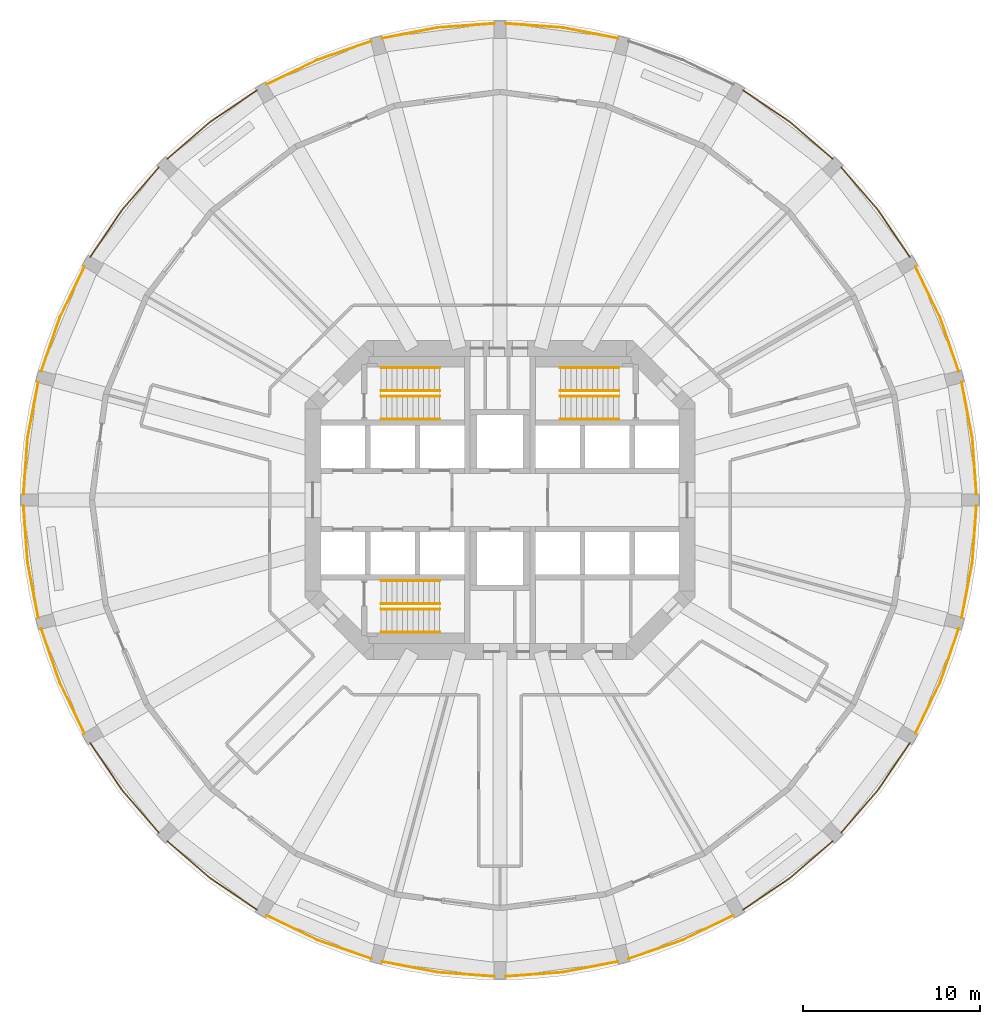
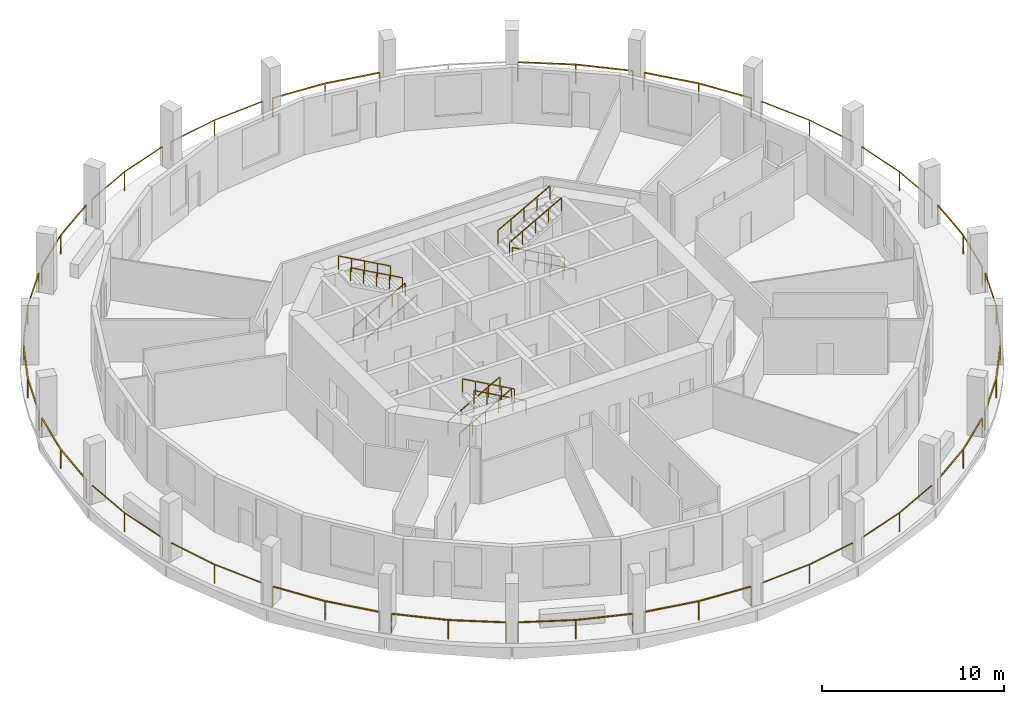
# One storey, part 8 of 9: 35 railings.
"""IFC4 building model written with IfcOpenShell, lengths in metres."""

from ifc_helpers import new_model, si_unit, direction, frame, origin, origin_2d, place, context, subcontext, project, spatial, rectangle, extrude, material, type_object, element, save


model = new_model("IFC4")

# Units and contexts
model_context = context("Model", 3, precision=1e-05, world=origin(), true_north=direction((0.0, 1.0)))
body_context = subcontext(model_context, "Body", "Model", "MODEL_VIEW")
ifc_project = project(units=[si_unit("LENGTHUNIT", "METRE"), si_unit("AREAUNIT", "SQUARE_METRE"), si_unit("VOLUMEUNIT", "CUBIC_METRE"), si_unit("PLANEANGLEUNIT", "RADIAN"), si_unit("MASSUNIT", "GRAM", prefix="KILO")], contexts=[model_context])

# Site, building, storey
site_placement = place(None, origin())
site = spatial("IfcSite", under=ifc_project, at=site_placement, CompositionType="ELEMENT")
building_placement = place(site_placement, origin())
building = spatial("IfcBuilding", under=site, at=building_placement, Name="Torre Triforio", CompositionType="ELEMENT")
storey_placement = place(building_placement, frame((0.0, 0.0, 47.0)))
storey = spatial("IfcBuildingStorey", under=building, at=storey_placement, Name="L09", CompositionType="ELEMENT", Elevation=47.0)

# Railings
ifc_material = material(Name="Stainless steel AISI 316", Category="steel")
railing_type_1 = type_object("IfcRailingType", Name="HANDRAIL 920", PredefinedType="HANDRAIL", material=ifc_material)
for number, where, name in (
    (1, (-6.699951171875, 4.550048828125, 0.166748046875), "Handrail ST1"),
    (2, (-6.699951171875, 5.85009765625, 0.166748046875), "Handrail ST1"),
):
    element("IfcRailing", number, at=place(storey_placement, frame(where)), inside=storey, type_object=railing_type_1, Name=name, PredefinedType="HANDRAIL", context=body_context, shape_type="SweptSolid", body=[
        extrude(rectangle(XDim=0.048095703125, YDim=0.048095703125, at=origin_2d()), frame((0.0, 0.0, 0.89599609375), z_axis=(0.874169478083, 0.0, 0.485620966999), x_axis=(0.0, 1.0, 0.0)), (0.0, 0.0, 1.0), 3.775146484375),
        extrude(rectangle(XDim=0.0419921875, YDim=0.0419921875, at=origin_2d()), origin(), (0.0, 0.0, 1.0), 0.871826171875),
        extrude(rectangle(XDim=0.0419921875, YDim=0.0419921875, at=origin_2d()), frame((0.824951171875, 0.0, 0.458251953125)), (0.0, 0.0, 1.0), 0.871826171875),
        extrude(rectangle(XDim=0.0419921875, YDim=0.0419921875, at=origin_2d()), frame((1.64990234375, 0.0, 0.91650390625)), (0.0, 0.0, 1.0), 0.871826171875),
        extrude(rectangle(XDim=0.0419921875, YDim=0.0419921875, at=origin_2d()), frame((2.47509765625, 0.0, 1.375)), (0.0, 0.0, 1.0), 0.871826171875),
        extrude(rectangle(XDim=0.0419921875, YDim=0.0419921875, at=origin_2d()), frame((3.300048828125, 0.0, 1.833251953125)), (0.0, 0.0, 1.0), 0.871826171875),
    ])
for number, where, name in (
    (3, (-3.39990234375, 7.449951171875, 2.166748046875), "Handrail ST1"),
    (4, (-3.39990234375, 6.14990234375, 2.166748046875), "Handrail ST1"),
    (5, (6.699951171875, 4.550048828125, 0.166748046875), "Handrail ST2"),
    (6, (6.699951171875, 5.85009765625, 0.166748046875), "Handrail ST2"),
):
    element("IfcRailing", number, at=place(storey_placement, frame(where)), inside=storey, type_object=railing_type_1, Name=name, PredefinedType="HANDRAIL", context=body_context, shape_type="SweptSolid", body=[
        extrude(rectangle(XDim=0.048095703125, YDim=0.048095703125, at=origin_2d()), frame((0.0, 0.0, 0.89599609375), z_axis=(-0.874169478083, 0.0, 0.485620966999), x_axis=(0.0, -1.0, 0.0)), (0.0, 0.0, 1.0), 3.775146484375),
        extrude(rectangle(XDim=0.0419921875, YDim=0.0419921875, at=origin_2d()), origin(), (0.0, 0.0, 1.0), 0.871826171875),
        extrude(rectangle(XDim=0.0419921875, YDim=0.0419921875, at=origin_2d()), frame((-0.824951171875, 0.0, 0.458251953125)), (0.0, 0.0, 1.0), 0.871826171875),
        extrude(rectangle(XDim=0.0419921875, YDim=0.0419921875, at=origin_2d()), frame((-1.64990234375, 0.0, 0.91650390625)), (0.0, 0.0, 1.0), 0.871826171875),
        extrude(rectangle(XDim=0.0419921875, YDim=0.0419921875, at=origin_2d()), frame((-2.47509765625, 0.0, 1.375)), (0.0, 0.0, 1.0), 0.871826171875),
        extrude(rectangle(XDim=0.0419921875, YDim=0.0419921875, at=origin_2d()), frame((-3.300048828125, 0.0, 1.833251953125)), (0.0, 0.0, 1.0), 0.871826171875),
    ])
for number, where, name in (
    (7, (3.39990234375, 7.449951171875, 2.166748046875), "Handrail ST2"),
    (8, (3.39990234375, 6.14990234375, 2.166748046875), "Handrail ST2"),
    (9, (-6.699951171875, -4.550048828125, 0.166748046875), "Handrail ST3"),
    (10, (-6.699951171875, -5.85009765625, 0.166748046875), "Handrail ST3"),
):
    element("IfcRailing", number, at=place(storey_placement, frame(where)), inside=storey, type_object=railing_type_1, Name=name, PredefinedType="HANDRAIL", context=body_context, shape_type="SweptSolid", body=[
        extrude(rectangle(XDim=0.048095703125, YDim=0.048095703125, at=origin_2d()), frame((0.0, 0.0, 0.89599609375), z_axis=(0.874169478083, 0.0, 0.485620966999), x_axis=(0.0, 1.0, 0.0)), (0.0, 0.0, 1.0), 3.775146484375),
        extrude(rectangle(XDim=0.0419921875, YDim=0.0419921875, at=origin_2d()), origin(), (0.0, 0.0, 1.0), 0.871826171875),
        extrude(rectangle(XDim=0.0419921875, YDim=0.0419921875, at=origin_2d()), frame((0.824951171875, 0.0, 0.458251953125)), (0.0, 0.0, 1.0), 0.871826171875),
        extrude(rectangle(XDim=0.0419921875, YDim=0.0419921875, at=origin_2d()), frame((1.64990234375, 0.0, 0.91650390625)), (0.0, 0.0, 1.0), 0.871826171875),
        extrude(rectangle(XDim=0.0419921875, YDim=0.0419921875, at=origin_2d()), frame((2.47509765625, 0.0, 1.375)), (0.0, 0.0, 1.0), 0.871826171875),
        extrude(rectangle(XDim=0.0419921875, YDim=0.0419921875, at=origin_2d()), frame((3.300048828125, 0.0, 1.833251953125)), (0.0, 0.0, 1.0), 0.871826171875),
    ])
for number, where, name in (
    (11, (-3.39990234375, -7.449951171875, 2.166748046875), "Handrail ST3"),
    (12, (-3.39990234375, -6.14990234375, 2.166748046875), "Handrail ST3"),
):
    element("IfcRailing", number, at=place(storey_placement, frame(where)), inside=storey, type_object=railing_type_1, Name=name, PredefinedType="HANDRAIL", context=body_context, shape_type="SweptSolid", body=[
        extrude(rectangle(XDim=0.048095703125, YDim=0.048095703125, at=origin_2d()), frame((0.0, 0.0, 0.89599609375), z_axis=(-0.874169478083, 0.0, 0.485620966999), x_axis=(0.0, -1.0, 0.0)), (0.0, 0.0, 1.0), 3.775146484375),
        extrude(rectangle(XDim=0.0419921875, YDim=0.0419921875, at=origin_2d()), origin(), (0.0, 0.0, 1.0), 0.871826171875),
        extrude(rectangle(XDim=0.0419921875, YDim=0.0419921875, at=origin_2d()), frame((-0.824951171875, 0.0, 0.458251953125)), (0.0, 0.0, 1.0), 0.871826171875),
        extrude(rectangle(XDim=0.0419921875, YDim=0.0419921875, at=origin_2d()), frame((-1.64990234375, 0.0, 0.91650390625)), (0.0, 0.0, 1.0), 0.871826171875),
        extrude(rectangle(XDim=0.0419921875, YDim=0.0419921875, at=origin_2d()), frame((-2.47509765625, 0.0, 1.375)), (0.0, 0.0, 1.0), 0.871826171875),
        extrude(rectangle(XDim=0.0419921875, YDim=0.0419921875, at=origin_2d()), frame((-3.300048828125, 0.0, 1.833251953125)), (0.0, 0.0, 1.0), 0.871826171875),
    ])
railing_type_2 = type_object("IfcRailingType", Name="Loggia guard 1300", PredefinedType="GUARDRAIL", material=ifc_material)
railing_1_placement = place(storey_placement, frame((26.85009765625, 0.320068359375, 0.0)))
element("IfcRailing", 13, at=railing_1_placement, inside=storey, type_object=railing_type_2, Name="Loggia guard L09 bay 01", PredefinedType="GUARDRAIL", context=body_context, shape_type="SweptSolid", body=[
    extrude(rectangle(XDim=0.050048828125, YDim=0.050048828125, at=origin_2d()), frame((0.0, 0.0, 1.27490234375), z_axis=(-0.071953458998, 0.997407990613, 0.0), x_axis=(-0.997407990613, -0.071953458998, 0.0)), (0.0, 0.0, 1.0), 3.19287109375),
    extrude(rectangle(XDim=0.050048828125, YDim=0.050048828125, at=origin_2d()), frame((-0.229736328125, 3.1845703125, 1.27490234375), z_axis=(-0.188714097365, 0.982032071501, 0.0), x_axis=(-0.982032071501, -0.188714097365, 0.0)), (0.0, 0.0, 1.0), 3.19287109375),
    extrude(rectangle(XDim=0.0400390625, YDim=0.0400390625, at=origin_2d()), origin(), (0.0, 0.0, 1.0), 1.25),
    extrude(rectangle(XDim=0.0400390625, YDim=0.0400390625, at=origin_2d()), frame((-0.229736328125, 3.1845703125, 0.0)), (0.0, 0.0, 1.0), 1.25),
    extrude(rectangle(XDim=0.0400390625, YDim=0.0400390625, at=origin_2d()), frame((-0.832275390625, 6.320068359375, 0.0)), (0.0, 0.0, 1.0), 1.25),
])
railing_2_placement = place(storey_placement, frame((25.852294921875, 7.25830078125, 0.0)))
element("IfcRailing", 14, at=railing_2_placement, inside=storey, type_object=railing_type_2, Name="Loggia guard L09 bay 02", PredefinedType="GUARDRAIL", context=body_context, shape_type="SweptSolid", body=[
    extrude(rectangle(XDim=0.050048828125, YDim=0.050048828125, at=origin_2d()), frame((0.0, 0.0, 1.27490234375), z_axis=(-0.327627852034, 0.94480685358, 0.0), x_axis=(-0.94480685358, -0.327627852034, 0.0)), (0.0, 0.0, 1.0), 3.193115234375),
    extrude(rectangle(XDim=0.050048828125, YDim=0.050048828125, at=origin_2d()), frame((-1.046142578125, 3.016845703125, 1.27490234375), z_axis=(-0.436384192305, 0.899760432952, 0.0), x_axis=(-0.899760432952, -0.436384192305, 0.0)), (0.0, 0.0, 1.0), 3.19287109375),
    extrude(rectangle(XDim=0.0400390625, YDim=0.0400390625, at=origin_2d()), origin(), (0.0, 0.0, 1.0), 1.25),
    extrude(rectangle(XDim=0.0400390625, YDim=0.0400390625, at=origin_2d()), frame((-1.046142578125, 3.016845703125, 0.0)), (0.0, 0.0, 1.0), 1.25),
    extrude(rectangle(XDim=0.0400390625, YDim=0.0400390625, at=origin_2d()), frame((-2.439453125, 5.8896484375, 0.0)), (0.0, 0.0, 1.0), 1.25),
])
railing_3_placement = place(storey_placement, frame((23.0927734375, 13.7021484375, 0.0)))
element("IfcRailing", 15, at=railing_3_placement, inside=storey, type_object=railing_type_2, Name="Loggia guard L09 bay 03", PredefinedType="GUARDRAIL", context=body_context, shape_type="SweptSolid", body=[
    extrude(rectangle(XDim=0.050048828125, YDim=0.050048828125, at=origin_2d()), frame((0.0, 0.0, 1.27490234375), z_axis=(-0.561018896338, 0.82780299465, 0.0), x_axis=(-0.82780299465, -0.561018896338, 0.0)), (0.0, 0.0, 1.0), 3.19287109375),
    extrude(rectangle(XDim=0.050048828125, YDim=0.050048828125, at=origin_2d()), frame((-1.791259765625, 2.64306640625, 1.27490234375), z_axis=(-0.654385993255, 0.756160678581, 0.0), x_axis=(-0.756160678581, -0.654385993255, 0.0)), (0.0, 0.0, 1.0), 3.19287109375),
    extrude(rectangle(XDim=0.0400390625, YDim=0.0400390625, at=origin_2d()), origin(), (0.0, 0.0, 1.0), 1.25),
    extrude(rectangle(XDim=0.0400390625, YDim=0.0400390625, at=origin_2d()), frame((-1.791259765625, 2.64306640625, 0.0)), (0.0, 0.0, 1.0), 1.25),
    extrude(rectangle(XDim=0.0400390625, YDim=0.0400390625, at=origin_2d()), frame((-3.880615234375, 5.057373046875, 0.0)), (0.0, 0.0, 1.0), 1.25),
])
railing_4_placement = place(storey_placement, frame((18.759521484375, 19.212158203125, 0.0)))
element("IfcRailing", 16, at=railing_4_placement, inside=storey, type_object=railing_type_2, Name="Loggia guard L09 bay 04", PredefinedType="GUARDRAIL", context=body_context, shape_type="SweptSolid", body=[
    extrude(rectangle(XDim=0.050048828125, YDim=0.050048828125, at=origin_2d()), frame((0.0, 0.0, 1.27490234375), z_axis=(-0.756160678581, 0.654385993255, 0.0), x_axis=(-0.654385993255, -0.756160678581, 0.0)), (0.0, 0.0, 1.0), 3.19287109375),
    extrude(rectangle(XDim=0.050048828125, YDim=0.050048828125, at=origin_2d()), frame((-2.414306640625, 2.08935546875, 1.27490234375), z_axis=(-0.82780299465, 0.561018896338, 0.0), x_axis=(-0.561018896338, -0.82780299465, 0.0)), (0.0, 0.0, 1.0), 3.19287109375),
    extrude(rectangle(XDim=0.0400390625, YDim=0.0400390625, at=origin_2d()), origin(), (0.0, 0.0, 1.0), 1.25),
    extrude(rectangle(XDim=0.0400390625, YDim=0.0400390625, at=origin_2d()), frame((-2.414306640625, 2.08935546875, 0.0)), (0.0, 0.0, 1.0), 1.25),
    extrude(rectangle(XDim=0.0400390625, YDim=0.0400390625, at=origin_2d()), frame((-5.057373046875, 3.880615234375, 0.0)), (0.0, 0.0, 1.0), 1.25),
])
railing_5_placement = place(storey_placement, frame((6.64013671875, 26.017822265625, 0.0)))
element("IfcRailing", 17, at=railing_5_placement, inside=storey, type_object=railing_type_2, Name="Loggia guard L09 bay 06", PredefinedType="GUARDRAIL", context=body_context, shape_type="SweptSolid", body=[
    extrude(rectangle(XDim=0.050048828125, YDim=0.050048828125, at=origin_2d()), frame((0.0, 0.0, 1.27490234375), z_axis=(-0.982032071501, 0.188714097365, 0.0), x_axis=(-0.188714097365, -0.982032071501, 0.0)), (0.0, 0.0, 1.0), 3.19287109375),
    extrude(rectangle(XDim=0.050048828125, YDim=0.050048828125, at=origin_2d()), frame((-3.135498046875, 0.6025390625, 1.27490234375), z_axis=(-0.997407990613, 0.071953458998, 0.0), x_axis=(-0.071953458998, -0.997407990613, 0.0)), (0.0, 0.0, 1.0), 3.19287109375),
    extrude(rectangle(XDim=0.0400390625, YDim=0.0400390625, at=origin_2d()), origin(), (0.0, 0.0, 1.0), 1.25),
    extrude(rectangle(XDim=0.0400390625, YDim=0.0400390625, at=origin_2d()), frame((-3.135498046875, 0.6025390625, 0.0)), (0.0, 0.0, 1.0), 1.25),
    extrude(rectangle(XDim=0.0400390625, YDim=0.0400390625, at=origin_2d()), frame((-6.320068359375, 0.832275390625, 0.0)), (0.0, 0.0, 1.0), 1.25),
])
railing_6_placement = place(storey_placement, frame((-0.320068359375, 26.85009765625, 0.0)))
element("IfcRailing", 18, at=railing_6_placement, inside=storey, type_object=railing_type_2, Name="Loggia guard L09 bay 07", PredefinedType="GUARDRAIL", context=body_context, shape_type="SweptSolid", body=[
    extrude(rectangle(XDim=0.050048828125, YDim=0.050048828125, at=origin_2d()), frame((0.0, 0.0, 1.27490234375), z_axis=(-0.997407990613, -0.071953458998, 0.0), x_axis=(0.071953458998, -0.997407990613, 0.0)), (0.0, 0.0, 1.0), 3.19287109375),
    extrude(rectangle(XDim=0.050048828125, YDim=0.050048828125, at=origin_2d()), frame((-3.1845703125, -0.229736328125, 1.27490234375), z_axis=(-0.982032071501, -0.188714097365, 0.0), x_axis=(0.188714097365, -0.982032071501, 0.0)), (0.0, 0.0, 1.0), 3.19287109375),
    extrude(rectangle(XDim=0.0400390625, YDim=0.0400390625, at=origin_2d()), origin(), (0.0, 0.0, 1.0), 1.25),
    extrude(rectangle(XDim=0.0400390625, YDim=0.0400390625, at=origin_2d()), frame((-3.1845703125, -0.229736328125, 0.0)), (0.0, 0.0, 1.0), 1.25),
    extrude(rectangle(XDim=0.0400390625, YDim=0.0400390625, at=origin_2d()), frame((-6.320068359375, -0.832275390625, 0.0)), (0.0, 0.0, 1.0), 1.25),
])
railing_7_placement = place(storey_placement, frame((-7.25830078125, 25.852294921875, 0.0)))
element("IfcRailing", 19, at=railing_7_placement, inside=storey, type_object=railing_type_2, Name="Loggia guard L09 bay 08", PredefinedType="GUARDRAIL", context=body_context, shape_type="SweptSolid", body=[
    extrude(rectangle(XDim=0.050048828125, YDim=0.050048828125, at=origin_2d()), frame((0.0, 0.0, 1.27490234375), z_axis=(-0.94480685358, -0.327627852034, 0.0), x_axis=(0.327627852034, -0.94480685358, 0.0)), (0.0, 0.0, 1.0), 3.193115234375),
    extrude(rectangle(XDim=0.050048828125, YDim=0.050048828125, at=origin_2d()), frame((-3.016845703125, -1.046142578125, 1.27490234375), z_axis=(-0.899760432952, -0.436384192305, 0.0), x_axis=(0.436384192305, -0.899760432952, 0.0)), (0.0, 0.0, 1.0), 3.19287109375),
    extrude(rectangle(XDim=0.0400390625, YDim=0.0400390625, at=origin_2d()), origin(), (0.0, 0.0, 1.0), 1.25),
    extrude(rectangle(XDim=0.0400390625, YDim=0.0400390625, at=origin_2d()), frame((-3.016845703125, -1.046142578125, 0.0)), (0.0, 0.0, 1.0), 1.25),
    extrude(rectangle(XDim=0.0400390625, YDim=0.0400390625, at=origin_2d()), frame((-5.8896484375, -2.439453125, 0.0)), (0.0, 0.0, 1.0), 1.25),
])
railing_8_placement = place(storey_placement, frame((-13.7021484375, 23.0927734375, 0.0)))
element("IfcRailing", 20, at=railing_8_placement, inside=storey, type_object=railing_type_2, Name="Loggia guard L09 bay 09", PredefinedType="GUARDRAIL", context=body_context, shape_type="SweptSolid", body=[
    extrude(rectangle(XDim=0.050048828125, YDim=0.050048828125, at=origin_2d()), frame((0.0, 0.0, 1.27490234375), z_axis=(-0.82780299465, -0.561018896338, 0.0), x_axis=(0.561018896338, -0.82780299465, 0.0)), (0.0, 0.0, 1.0), 3.19287109375),
    extrude(rectangle(XDim=0.050048828125, YDim=0.050048828125, at=origin_2d()), frame((-2.64306640625, -1.791259765625, 1.27490234375), z_axis=(-0.756160678581, -0.654385993255, 0.0), x_axis=(0.654385993255, -0.756160678581, 0.0)), (0.0, 0.0, 1.0), 3.19287109375),
    extrude(rectangle(XDim=0.0400390625, YDim=0.0400390625, at=origin_2d()), origin(), (0.0, 0.0, 1.0), 1.25),
    extrude(rectangle(XDim=0.0400390625, YDim=0.0400390625, at=origin_2d()), frame((-2.64306640625, -1.791259765625, 0.0)), (0.0, 0.0, 1.0), 1.25),
    extrude(rectangle(XDim=0.0400390625, YDim=0.0400390625, at=origin_2d()), frame((-5.057373046875, -3.880615234375, 0.0)), (0.0, 0.0, 1.0), 1.25),
])
railing_9_placement = place(storey_placement, frame((-19.212158203125, 18.759521484375, 0.0)))
element("IfcRailing", 21, at=railing_9_placement, inside=storey, type_object=railing_type_2, Name="Loggia guard L09 bay 10", PredefinedType="GUARDRAIL", context=body_context, shape_type="SweptSolid", body=[
    extrude(rectangle(XDim=0.050048828125, YDim=0.050048828125, at=origin_2d()), frame((0.0, 0.0, 1.27490234375), z_axis=(-0.654385993255, -0.756160678581, 0.0), x_axis=(0.756160678581, -0.654385993255, 0.0)), (0.0, 0.0, 1.0), 3.19287109375),
    extrude(rectangle(XDim=0.050048828125, YDim=0.050048828125, at=origin_2d()), frame((-2.08935546875, -2.414306640625, 1.27490234375), z_axis=(-0.561018896338, -0.82780299465, 0.0), x_axis=(0.82780299465, -0.561018896338, 0.0)), (0.0, 0.0, 1.0), 3.19287109375),
    extrude(rectangle(XDim=0.0400390625, YDim=0.0400390625, at=origin_2d()), origin(), (0.0, 0.0, 1.0), 1.25),
    extrude(rectangle(XDim=0.0400390625, YDim=0.0400390625, at=origin_2d()), frame((-2.08935546875, -2.414306640625, 0.0)), (0.0, 0.0, 1.0), 1.25),
    extrude(rectangle(XDim=0.0400390625, YDim=0.0400390625, at=origin_2d()), frame((-3.880615234375, -5.057373046875, 0.0)), (0.0, 0.0, 1.0), 1.25),
])
railing_10_placement = place(storey_placement, frame((-23.412841796875, 13.14794921875, 0.0)))
element("IfcRailing", 22, at=railing_10_placement, inside=storey, type_object=railing_type_2, Name="Loggia guard L09 bay 11", PredefinedType="GUARDRAIL", context=body_context, shape_type="SweptSolid", body=[
    extrude(rectangle(XDim=0.050048828125, YDim=0.050048828125, at=origin_2d()), frame((0.0, 0.0, 1.27490234375), z_axis=(-0.436384192305, -0.899760432952, 0.0), x_axis=(0.899760432952, -0.436384192305, 0.0)), (0.0, 0.0, 1.0), 3.19287109375),
    extrude(rectangle(XDim=0.050048828125, YDim=0.050048828125, at=origin_2d()), frame((-1.393310546875, -2.872802734375, 1.27490234375), z_axis=(-0.327627852034, -0.94480685358, 0.0), x_axis=(0.94480685358, -0.327627852034, 0.0)), (0.0, 0.0, 1.0), 3.193115234375),
    extrude(rectangle(XDim=0.0400390625, YDim=0.0400390625, at=origin_2d()), origin(), (0.0, 0.0, 1.0), 1.25),
    extrude(rectangle(XDim=0.0400390625, YDim=0.0400390625, at=origin_2d()), frame((-1.393310546875, -2.872802734375, 0.0)), (0.0, 0.0, 1.0), 1.25),
    extrude(rectangle(XDim=0.0400390625, YDim=0.0400390625, at=origin_2d()), frame((-2.439453125, -5.8896484375, 0.0)), (0.0, 0.0, 1.0), 1.25),
])
railing_11_placement = place(storey_placement, frame((-26.017822265625, 6.64013671875, 0.0)))
element("IfcRailing", 23, at=railing_11_placement, inside=storey, type_object=railing_type_2, Name="Loggia guard L09 bay 12", PredefinedType="GUARDRAIL", context=body_context, shape_type="SweptSolid", body=[
    extrude(rectangle(XDim=0.050048828125, YDim=0.050048828125, at=origin_2d()), frame((0.0, 0.0, 1.27490234375), z_axis=(-0.188714097365, -0.982032071501, 0.0), x_axis=(0.982032071501, -0.188714097365, 0.0)), (0.0, 0.0, 1.0), 3.19287109375),
    extrude(rectangle(XDim=0.050048828125, YDim=0.050048828125, at=origin_2d()), frame((-0.6025390625, -3.135498046875, 1.27490234375), z_axis=(-0.071953458998, -0.997407990613, 0.0), x_axis=(0.997407990613, -0.071953458998, 0.0)), (0.0, 0.0, 1.0), 3.19287109375),
    extrude(rectangle(XDim=0.0400390625, YDim=0.0400390625, at=origin_2d()), origin(), (0.0, 0.0, 1.0), 1.25),
    extrude(rectangle(XDim=0.0400390625, YDim=0.0400390625, at=origin_2d()), frame((-0.6025390625, -3.135498046875, 0.0)), (0.0, 0.0, 1.0), 1.25),
    extrude(rectangle(XDim=0.0400390625, YDim=0.0400390625, at=origin_2d()), frame((-0.832275390625, -6.320068359375, 0.0)), (0.0, 0.0, 1.0), 1.25),
])
railing_12_placement = place(storey_placement, frame((-26.85009765625, -0.320068359375, 0.0)))
element("IfcRailing", 24, at=railing_12_placement, inside=storey, type_object=railing_type_2, Name="Loggia guard L09 bay 13", PredefinedType="GUARDRAIL", context=body_context, shape_type="SweptSolid", body=[
    extrude(rectangle(XDim=0.050048828125, YDim=0.050048828125, at=origin_2d()), frame((0.0, 0.0, 1.27490234375), z_axis=(0.071953458998, -0.997407990613, 0.0), x_axis=(0.997407990613, 0.071953458998, 0.0)), (0.0, 0.0, 1.0), 3.19287109375),
    extrude(rectangle(XDim=0.050048828125, YDim=0.050048828125, at=origin_2d()), frame((0.229736328125, -3.1845703125, 1.27490234375), z_axis=(0.188714097365, -0.982032071501, 0.0), x_axis=(0.982032071501, 0.188714097365, 0.0)), (0.0, 0.0, 1.0), 3.19287109375),
    extrude(rectangle(XDim=0.0400390625, YDim=0.0400390625, at=origin_2d()), origin(), (0.0, 0.0, 1.0), 1.25),
    extrude(rectangle(XDim=0.0400390625, YDim=0.0400390625, at=origin_2d()), frame((0.229736328125, -3.1845703125, 0.0)), (0.0, 0.0, 1.0), 1.25),
    extrude(rectangle(XDim=0.0400390625, YDim=0.0400390625, at=origin_2d()), frame((0.832275390625, -6.320068359375, 0.0)), (0.0, 0.0, 1.0), 1.25),
])
railing_13_placement = place(storey_placement, frame((-25.852294921875, -7.25830078125, 0.0)))
element("IfcRailing", 25, at=railing_13_placement, inside=storey, type_object=railing_type_2, Name="Loggia guard L09 bay 14", PredefinedType="GUARDRAIL", context=body_context, shape_type="SweptSolid", body=[
    extrude(rectangle(XDim=0.050048828125, YDim=0.050048828125, at=origin_2d()), frame((0.0, 0.0, 1.27490234375), z_axis=(0.327627852034, -0.94480685358, 0.0), x_axis=(0.94480685358, 0.327627852034, 0.0)), (0.0, 0.0, 1.0), 3.193115234375),
    extrude(rectangle(XDim=0.050048828125, YDim=0.050048828125, at=origin_2d()), frame((1.046142578125, -3.016845703125, 1.27490234375), z_axis=(0.436384192305, -0.899760432952, 0.0), x_axis=(0.899760432952, 0.436384192305, 0.0)), (0.0, 0.0, 1.0), 3.19287109375),
    extrude(rectangle(XDim=0.0400390625, YDim=0.0400390625, at=origin_2d()), origin(), (0.0, 0.0, 1.0), 1.25),
    extrude(rectangle(XDim=0.0400390625, YDim=0.0400390625, at=origin_2d()), frame((1.046142578125, -3.016845703125, 0.0)), (0.0, 0.0, 1.0), 1.25),
    extrude(rectangle(XDim=0.0400390625, YDim=0.0400390625, at=origin_2d()), frame((2.439453125, -5.8896484375, 0.0)), (0.0, 0.0, 1.0), 1.25),
])
railing_14_placement = place(storey_placement, frame((-23.0927734375, -13.7021484375, 0.0)))
element("IfcRailing", 26, at=railing_14_placement, inside=storey, type_object=railing_type_2, Name="Loggia guard L09 bay 15", PredefinedType="GUARDRAIL", context=body_context, shape_type="SweptSolid", body=[
    extrude(rectangle(XDim=0.050048828125, YDim=0.050048828125, at=origin_2d()), frame((0.0, 0.0, 1.27490234375), z_axis=(0.561018896338, -0.82780299465, 0.0), x_axis=(0.82780299465, 0.561018896338, 0.0)), (0.0, 0.0, 1.0), 3.19287109375),
    extrude(rectangle(XDim=0.050048828125, YDim=0.050048828125, at=origin_2d()), frame((1.791259765625, -2.64306640625, 1.27490234375), z_axis=(0.654385993255, -0.756160678581, 0.0), x_axis=(0.756160678581, 0.654385993255, 0.0)), (0.0, 0.0, 1.0), 3.19287109375),
    extrude(rectangle(XDim=0.0400390625, YDim=0.0400390625, at=origin_2d()), origin(), (0.0, 0.0, 1.0), 1.25),
    extrude(rectangle(XDim=0.0400390625, YDim=0.0400390625, at=origin_2d()), frame((1.791259765625, -2.64306640625, 0.0)), (0.0, 0.0, 1.0), 1.25),
    extrude(rectangle(XDim=0.0400390625, YDim=0.0400390625, at=origin_2d()), frame((3.880615234375, -5.057373046875, 0.0)), (0.0, 0.0, 1.0), 1.25),
])
railing_15_placement = place(storey_placement, frame((-18.759521484375, -19.212158203125, 0.0)))
element("IfcRailing", 27, at=railing_15_placement, inside=storey, type_object=railing_type_2, Name="Loggia guard L09 bay 16", PredefinedType="GUARDRAIL", context=body_context, shape_type="SweptSolid", body=[
    extrude(rectangle(XDim=0.050048828125, YDim=0.050048828125, at=origin_2d()), frame((0.0, 0.0, 1.27490234375), z_axis=(0.756160678581, -0.654385993255, 0.0), x_axis=(0.654385993255, 0.756160678581, 0.0)), (0.0, 0.0, 1.0), 3.19287109375),
    extrude(rectangle(XDim=0.050048828125, YDim=0.050048828125, at=origin_2d()), frame((2.414306640625, -2.08935546875, 1.27490234375), z_axis=(0.82780299465, -0.561018896338, 0.0), x_axis=(0.561018896338, 0.82780299465, 0.0)), (0.0, 0.0, 1.0), 3.19287109375),
    extrude(rectangle(XDim=0.0400390625, YDim=0.0400390625, at=origin_2d()), origin(), (0.0, 0.0, 1.0), 1.25),
    extrude(rectangle(XDim=0.0400390625, YDim=0.0400390625, at=origin_2d()), frame((2.414306640625, -2.08935546875, 0.0)), (0.0, 0.0, 1.0), 1.25),
    extrude(rectangle(XDim=0.0400390625, YDim=0.0400390625, at=origin_2d()), frame((5.057373046875, -3.880615234375, 0.0)), (0.0, 0.0, 1.0), 1.25),
])
railing_16_placement = place(storey_placement, frame((-13.14794921875, -23.412841796875, 0.0)))
element("IfcRailing", 28, at=railing_16_placement, inside=storey, type_object=railing_type_2, Name="Loggia guard L09 bay 17", PredefinedType="GUARDRAIL", context=body_context, shape_type="SweptSolid", body=[
    extrude(rectangle(XDim=0.050048828125, YDim=0.050048828125, at=origin_2d()), frame((0.0, 0.0, 1.27490234375), z_axis=(0.899760432952, -0.436384192305, 0.0), x_axis=(0.436384192305, 0.899760432952, 0.0)), (0.0, 0.0, 1.0), 3.19287109375),
    extrude(rectangle(XDim=0.050048828125, YDim=0.050048828125, at=origin_2d()), frame((2.872802734375, -1.393310546875, 1.27490234375), z_axis=(0.94480685358, -0.327627852034, 0.0), x_axis=(0.327627852034, 0.94480685358, 0.0)), (0.0, 0.0, 1.0), 3.193115234375),
    extrude(rectangle(XDim=0.0400390625, YDim=0.0400390625, at=origin_2d()), origin(), (0.0, 0.0, 1.0), 1.25),
    extrude(rectangle(XDim=0.0400390625, YDim=0.0400390625, at=origin_2d()), frame((2.872802734375, -1.393310546875, 0.0)), (0.0, 0.0, 1.0), 1.25),
    extrude(rectangle(XDim=0.0400390625, YDim=0.0400390625, at=origin_2d()), frame((5.8896484375, -2.439453125, 0.0)), (0.0, 0.0, 1.0), 1.25),
])
railing_17_placement = place(storey_placement, frame((-6.64013671875, -26.017822265625, 0.0)))
element("IfcRailing", 29, at=railing_17_placement, inside=storey, type_object=railing_type_2, Name="Loggia guard L09 bay 18", PredefinedType="GUARDRAIL", context=body_context, shape_type="SweptSolid", body=[
    extrude(rectangle(XDim=0.050048828125, YDim=0.050048828125, at=origin_2d()), frame((0.0, 0.0, 1.27490234375), z_axis=(0.982032071501, -0.188714097365, 0.0), x_axis=(0.188714097365, 0.982032071501, 0.0)), (0.0, 0.0, 1.0), 3.19287109375),
    extrude(rectangle(XDim=0.050048828125, YDim=0.050048828125, at=origin_2d()), frame((3.135498046875, -0.6025390625, 1.27490234375), z_axis=(0.997407990613, -0.071953458998, 0.0), x_axis=(0.071953458998, 0.997407990613, 0.0)), (0.0, 0.0, 1.0), 3.19287109375),
    extrude(rectangle(XDim=0.0400390625, YDim=0.0400390625, at=origin_2d()), origin(), (0.0, 0.0, 1.0), 1.25),
    extrude(rectangle(XDim=0.0400390625, YDim=0.0400390625, at=origin_2d()), frame((3.135498046875, -0.6025390625, 0.0)), (0.0, 0.0, 1.0), 1.25),
    extrude(rectangle(XDim=0.0400390625, YDim=0.0400390625, at=origin_2d()), frame((6.320068359375, -0.832275390625, 0.0)), (0.0, 0.0, 1.0), 1.25),
])
railing_18_placement = place(storey_placement, frame((0.320068359375, -26.85009765625, 0.0)))
element("IfcRailing", 30, at=railing_18_placement, inside=storey, type_object=railing_type_2, Name="Loggia guard L09 bay 19", PredefinedType="GUARDRAIL", context=body_context, shape_type="SweptSolid", body=[
    extrude(rectangle(XDim=0.050048828125, YDim=0.050048828125, at=origin_2d()), frame((0.0, 0.0, 1.27490234375), z_axis=(0.997407990613, 0.071953458998, 0.0), x_axis=(-0.071953458998, 0.997407990613, 0.0)), (0.0, 0.0, 1.0), 3.19287109375),
    extrude(rectangle(XDim=0.050048828125, YDim=0.050048828125, at=origin_2d()), frame((3.1845703125, 0.229736328125, 1.27490234375), z_axis=(0.982032071501, 0.188714097365, 0.0), x_axis=(-0.188714097365, 0.982032071501, 0.0)), (0.0, 0.0, 1.0), 3.19287109375),
    extrude(rectangle(XDim=0.0400390625, YDim=0.0400390625, at=origin_2d()), origin(), (0.0, 0.0, 1.0), 1.25),
    extrude(rectangle(XDim=0.0400390625, YDim=0.0400390625, at=origin_2d()), frame((3.1845703125, 0.229736328125, 0.0)), (0.0, 0.0, 1.0), 1.25),
    extrude(rectangle(XDim=0.0400390625, YDim=0.0400390625, at=origin_2d()), frame((6.320068359375, 0.832275390625, 0.0)), (0.0, 0.0, 1.0), 1.25),
])
railing_19_placement = place(storey_placement, frame((7.25830078125, -25.852294921875, 0.0)))
element("IfcRailing", 31, at=railing_19_placement, inside=storey, type_object=railing_type_2, Name="Loggia guard L09 bay 20", PredefinedType="GUARDRAIL", context=body_context, shape_type="SweptSolid", body=[
    extrude(rectangle(XDim=0.050048828125, YDim=0.050048828125, at=origin_2d()), frame((0.0, 0.0, 1.27490234375), z_axis=(0.94480685358, 0.327627852034, 0.0), x_axis=(-0.327627852034, 0.94480685358, 0.0)), (0.0, 0.0, 1.0), 3.193115234375),
    extrude(rectangle(XDim=0.050048828125, YDim=0.050048828125, at=origin_2d()), frame((3.016845703125, 1.046142578125, 1.27490234375), z_axis=(0.899760432952, 0.436384192305, 0.0), x_axis=(-0.436384192305, 0.899760432952, 0.0)), (0.0, 0.0, 1.0), 3.19287109375),
    extrude(rectangle(XDim=0.0400390625, YDim=0.0400390625, at=origin_2d()), origin(), (0.0, 0.0, 1.0), 1.25),
    extrude(rectangle(XDim=0.0400390625, YDim=0.0400390625, at=origin_2d()), frame((3.016845703125, 1.046142578125, 0.0)), (0.0, 0.0, 1.0), 1.25),
    extrude(rectangle(XDim=0.0400390625, YDim=0.0400390625, at=origin_2d()), frame((5.8896484375, 2.439453125, 0.0)), (0.0, 0.0, 1.0), 1.25),
])
railing_20_placement = place(storey_placement, frame((13.7021484375, -23.0927734375, 0.0)))
element("IfcRailing", 32, at=railing_20_placement, inside=storey, type_object=railing_type_2, Name="Loggia guard L09 bay 21", PredefinedType="GUARDRAIL", context=body_context, shape_type="SweptSolid", body=[
    extrude(rectangle(XDim=0.050048828125, YDim=0.050048828125, at=origin_2d()), frame((0.0, 0.0, 1.27490234375), z_axis=(0.82780299465, 0.561018896338, 0.0), x_axis=(-0.561018896338, 0.82780299465, 0.0)), (0.0, 0.0, 1.0), 3.19287109375),
    extrude(rectangle(XDim=0.050048828125, YDim=0.050048828125, at=origin_2d()), frame((2.64306640625, 1.791259765625, 1.27490234375), z_axis=(0.756160678581, 0.654385993255, 0.0), x_axis=(-0.654385993255, 0.756160678581, 0.0)), (0.0, 0.0, 1.0), 3.19287109375),
    extrude(rectangle(XDim=0.0400390625, YDim=0.0400390625, at=origin_2d()), origin(), (0.0, 0.0, 1.0), 1.25),
    extrude(rectangle(XDim=0.0400390625, YDim=0.0400390625, at=origin_2d()), frame((2.64306640625, 1.791259765625, 0.0)), (0.0, 0.0, 1.0), 1.25),
    extrude(rectangle(XDim=0.0400390625, YDim=0.0400390625, at=origin_2d()), frame((5.057373046875, 3.880615234375, 0.0)), (0.0, 0.0, 1.0), 1.25),
])
railing_21_placement = place(storey_placement, frame((19.212158203125, -18.759521484375, 0.0)))
element("IfcRailing", 33, at=railing_21_placement, inside=storey, type_object=railing_type_2, Name="Loggia guard L09 bay 22", PredefinedType="GUARDRAIL", context=body_context, shape_type="SweptSolid", body=[
    extrude(rectangle(XDim=0.050048828125, YDim=0.050048828125, at=origin_2d()), frame((0.0, 0.0, 1.27490234375), z_axis=(0.654385993255, 0.756160678581, 0.0), x_axis=(-0.756160678581, 0.654385993255, 0.0)), (0.0, 0.0, 1.0), 3.19287109375),
    extrude(rectangle(XDim=0.050048828125, YDim=0.050048828125, at=origin_2d()), frame((2.08935546875, 2.414306640625, 1.27490234375), z_axis=(0.561018896338, 0.82780299465, 0.0), x_axis=(-0.82780299465, 0.561018896338, 0.0)), (0.0, 0.0, 1.0), 3.19287109375),
    extrude(rectangle(XDim=0.0400390625, YDim=0.0400390625, at=origin_2d()), origin(), (0.0, 0.0, 1.0), 1.25),
    extrude(rectangle(XDim=0.0400390625, YDim=0.0400390625, at=origin_2d()), frame((2.08935546875, 2.414306640625, 0.0)), (0.0, 0.0, 1.0), 1.25),
    extrude(rectangle(XDim=0.0400390625, YDim=0.0400390625, at=origin_2d()), frame((3.880615234375, 5.057373046875, 0.0)), (0.0, 0.0, 1.0), 1.25),
])
railing_22_placement = place(storey_placement, frame((23.412841796875, -13.14794921875, 0.0)))
element("IfcRailing", 34, at=railing_22_placement, inside=storey, type_object=railing_type_2, Name="Loggia guard L09 bay 23", PredefinedType="GUARDRAIL", context=body_context, shape_type="SweptSolid", body=[
    extrude(rectangle(XDim=0.050048828125, YDim=0.050048828125, at=origin_2d()), frame((0.0, 0.0, 1.27490234375), z_axis=(0.436384192305, 0.899760432952, 0.0), x_axis=(-0.899760432952, 0.436384192305, 0.0)), (0.0, 0.0, 1.0), 3.19287109375),
    extrude(rectangle(XDim=0.050048828125, YDim=0.050048828125, at=origin_2d()), frame((1.393310546875, 2.872802734375, 1.27490234375), z_axis=(0.327627852034, 0.94480685358, 0.0), x_axis=(-0.94480685358, 0.327627852034, 0.0)), (0.0, 0.0, 1.0), 3.193115234375),
    extrude(rectangle(XDim=0.0400390625, YDim=0.0400390625, at=origin_2d()), origin(), (0.0, 0.0, 1.0), 1.25),
    extrude(rectangle(XDim=0.0400390625, YDim=0.0400390625, at=origin_2d()), frame((1.393310546875, 2.872802734375, 0.0)), (0.0, 0.0, 1.0), 1.25),
    extrude(rectangle(XDim=0.0400390625, YDim=0.0400390625, at=origin_2d()), frame((2.439453125, 5.8896484375, 0.0)), (0.0, 0.0, 1.0), 1.25),
])
railing_23_placement = place(storey_placement, frame((26.017822265625, -6.64013671875, 0.0)))
element("IfcRailing", 35, at=railing_23_placement, inside=storey, type_object=railing_type_2, Name="Loggia guard L09 bay 24", PredefinedType="GUARDRAIL", context=body_context, shape_type="SweptSolid", body=[
    extrude(rectangle(XDim=0.050048828125, YDim=0.050048828125, at=origin_2d()), frame((0.0, 0.0, 1.27490234375), z_axis=(0.188714097365, 0.982032071501, 0.0), x_axis=(-0.982032071501, 0.188714097365, 0.0)), (0.0, 0.0, 1.0), 3.19287109375),
    extrude(rectangle(XDim=0.050048828125, YDim=0.050048828125, at=origin_2d()), frame((0.6025390625, 3.135498046875, 1.27490234375), z_axis=(0.071953458998, 0.997407990613, 0.0), x_axis=(-0.997407990613, 0.071953458998, 0.0)), (0.0, 0.0, 1.0), 3.19287109375),
    extrude(rectangle(XDim=0.0400390625, YDim=0.0400390625, at=origin_2d()), origin(), (0.0, 0.0, 1.0), 1.25),
    extrude(rectangle(XDim=0.0400390625, YDim=0.0400390625, at=origin_2d()), frame((0.6025390625, 3.135498046875, 0.0)), (0.0, 0.0, 1.0), 1.25),
    extrude(rectangle(XDim=0.0400390625, YDim=0.0400390625, at=origin_2d()), frame((0.832275390625, 6.320068359375, 0.0)), (0.0, 0.0, 1.0), 1.25),
])

save(model, "model.ifc")
